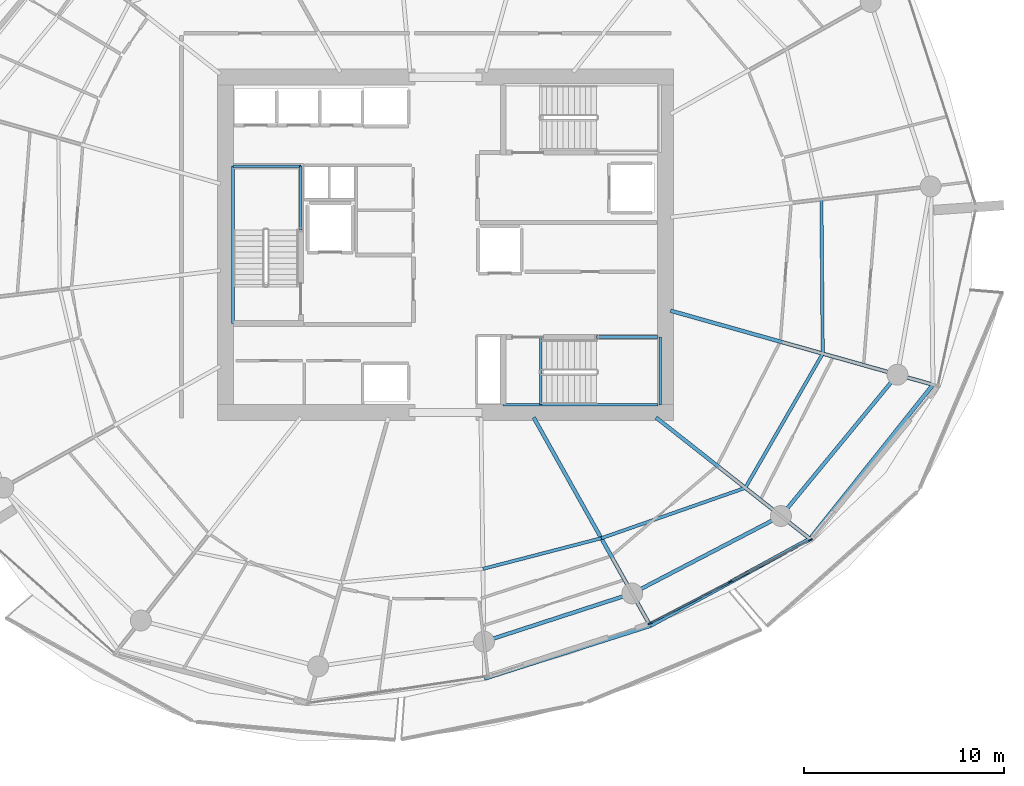
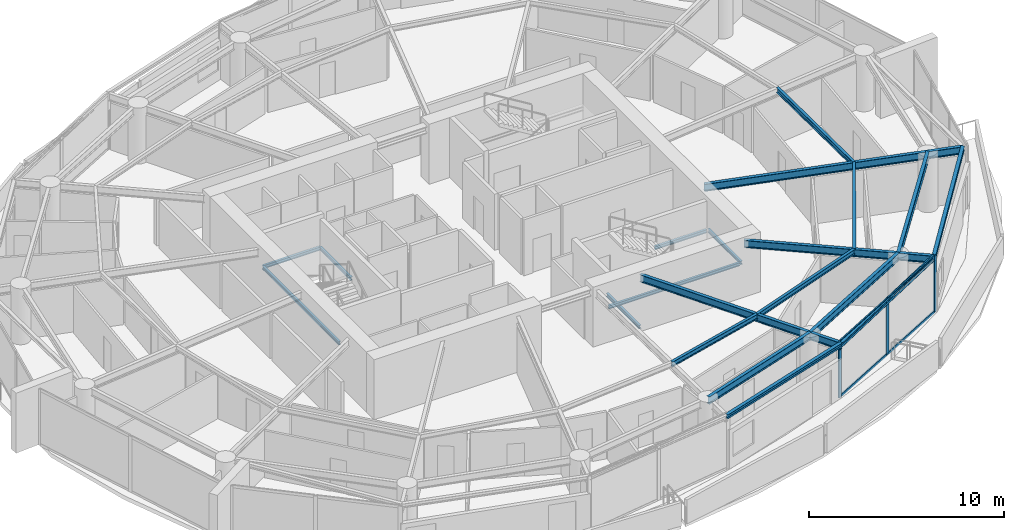
# One storey, part 6 of 20: 20 beams, 7 members, 1 element without a shape of its own.
"""IFC4 building model written with IfcOpenShell, lengths in metres."""

from ifc_helpers import new_model, si_unit, direction, frame, origin, origin_2d, place, context, subcontext, project, spatial, rectangle, i_section, extrude, material, layer, layer_set, material_profile, profile_set, type_object, element, aggregate, save


model = new_model("IFC4")

# Units and contexts
model_context = context("Model", 3, precision=1e-05, world=origin(), true_north=direction((0.0, 1.0)))
body_context = subcontext(model_context, "Body", "Model", "MODEL_VIEW")
ifc_project = project(units=[si_unit("LENGTHUNIT", "METRE"), si_unit("AREAUNIT", "SQUARE_METRE"), si_unit("VOLUMEUNIT", "CUBIC_METRE"), si_unit("PLANEANGLEUNIT", "RADIAN"), si_unit("MASSUNIT", "GRAM", prefix="KILO")], contexts=[model_context])

# Site, building, storey
site_placement = place(None, origin())
site = spatial("IfcSite", under=ifc_project, at=site_placement, CompositionType="ELEMENT")
building_placement = place(site_placement, origin())
building = spatial("IfcBuilding", under=site, at=building_placement, Name="Kazma Halo Residences", CompositionType="ELEMENT")
storey_placement = place(building_placement, frame((0.0, 0.0, 165.300048828125)))
storey = spatial("IfcBuildingStorey", under=building, at=storey_placement, Name="L41", CompositionType="ELEMENT", Elevation=165.300048828125)

# Beams
ifc_material_1 = material(Name="Steel S355", Category="steel")
ifc_material_profile_1 = material_profile(ifc_material_1, i_section(OverallWidth=0.201904296875, OverallDepth=0.2470703125, WebThickness=0.00732421875, FlangeThickness=0.010986328125, FilletRadius=0.011962890625, at=origin_2d()), Name="W250x49.1")
ifc_profile_set_1 = profile_set([ifc_material_profile_1], Name="Steel S355")
beam_type_1 = type_object("IfcBeamType", Name="BM-BAL-CANT", PredefinedType="BEAM", material=ifc_profile_set_1)
beam_1_placement = place(storey_placement, frame((50.37841796875, 20.269287109375, 3.37646484375), z_axis=(0.952724066304, 0.303836886315, 0.0), x_axis=(-0.303836886315, 0.952724066304, 0.0)))
element("IfcBeam", 1, at=beam_1_placement, inside=storey, type_object=beam_type_1, Name="L41 wave-balcony tie beam 12", PredefinedType="BEAM", context=body_context, shape_type="SweptSolid", body=[
    extrude(i_section(OverallWidth=0.201904296875, OverallDepth=0.2470703125, WebThickness=0.00732421875, FlangeThickness=0.010986328125, FilletRadius=0.011962890625, at=origin_2d()), origin(), (0.0, 0.0, 1.0), 8.719970703125),
])
beam_2_placement = place(storey_placement, frame((58.68603515625, 22.918701171875, 3.37646484375), z_axis=(0.878572913315, 0.477608245312, 0.0), x_axis=(-0.477608245312, 0.878572913315, 0.0)))
element("IfcBeam", 2, at=beam_2_placement, inside=storey, type_object=beam_type_1, Name="L41 wave-balcony tie beam 13", PredefinedType="BEAM", context=body_context, shape_type="SweptSolid", body=[
    extrude(i_section(OverallWidth=0.201904296875, OverallDepth=0.2470703125, WebThickness=0.00732421875, FlangeThickness=0.010986328125, FilletRadius=0.011962890625, at=origin_2d()), origin(), (0.0, 0.0, 1.0), 9.107177734375),
])
beam_3_placement = place(storey_placement, frame((66.687255859375, 27.268310546875, 3.37646484375), z_axis=(0.623742400336, 0.781629975131, 0.0), x_axis=(-0.781629975131, 0.623742400336, 0.0)))
element("IfcBeam", 3, at=beam_3_placement, inside=storey, type_object=beam_type_1, Name="L41 wave-balcony tie beam 14", PredefinedType="BEAM", context=body_context, shape_type="SweptSolid", body=[
    extrude(i_section(OverallWidth=0.201904296875, OverallDepth=0.2470703125, WebThickness=0.00732421875, FlangeThickness=0.010986328125, FilletRadius=0.011962890625, at=origin_2d()), origin(), (0.0, 0.0, 1.0), 9.880859375),
])
ifc_material_profile_2 = material_profile(ifc_material_1, i_section(OverallWidth=0.18994140625, OverallDepth=0.45703125, WebThickness=0.009033203125, FlangeThickness=0.014404296875, FilletRadius=0.01611328125, at=origin_2d()), Name="W460x74")
ifc_profile_set_2 = profile_set([ifc_material_profile_2], Name="Steel S355")
beam_type_2 = type_object("IfcBeamType", Name="BM-RAD-W460", PredefinedType="BEAM", material=ifc_profile_set_2)
beam_4_placement = place(storey_placement, frame((52.84423828125, 33.35009765625, 3.271484375), z_axis=(0.488617048735, -0.872498355119, 0.0), x_axis=(0.872498355119, 0.488617048735, 0.0)))
element("IfcBeam", 4, at=beam_4_placement, inside=storey, type_object=beam_type_2, Name="L41 radial floor beam 13", PredefinedType="BEAM", context=body_context, shape_type="SweptSolid", body=[
    extrude(i_section(OverallWidth=0.18994140625, OverallDepth=0.45703125, WebThickness=0.009033203125, FlangeThickness=0.014404296875, FilletRadius=0.01611328125, at=origin_2d()), origin(), (0.0, 0.0, 1.0), 11.955810546875),
])
beam_5_placement = place(storey_placement, frame((58.972412109375, 33.35009765625, 3.271484375), z_axis=(0.785322142498, -0.619087338347, 0.0), x_axis=(0.619087338347, 0.785322142498, 0.0)))
element("IfcBeam", 5, at=beam_5_placement, inside=storey, type_object=beam_type_2, Name="L41 radial floor beam 14", PredefinedType="BEAM", context=body_context, shape_type="SweptSolid", body=[
    extrude(i_section(OverallWidth=0.18994140625, OverallDepth=0.45703125, WebThickness=0.009033203125, FlangeThickness=0.014404296875, FilletRadius=0.01611328125, at=origin_2d()), origin(), (0.0, 0.0, 1.0), 9.82373046875),
])
beam_6_placement = place(storey_placement, frame((59.699951171875, 38.7001953125, 3.271484375), z_axis=(0.962456259321, -0.271436823024, 0.0), x_axis=(0.271436823024, 0.962456259321, 0.0)))
element("IfcBeam", 6, at=beam_6_placement, inside=storey, type_object=beam_type_2, Name="L41 radial floor beam 15", PredefinedType="BEAM", context=body_context, shape_type="SweptSolid", body=[
    extrude(i_section(OverallWidth=0.18994140625, OverallDepth=0.45703125, WebThickness=0.009033203125, FlangeThickness=0.014404296875, FilletRadius=0.01611328125, at=origin_2d()), origin(), (0.0, 0.0, 1.0), 13.663330078125),
])
ifc_material_profile_3 = material_profile(ifc_material_1, i_section(OverallWidth=0.1650390625, OverallDepth=0.31005859375, WebThickness=0.005859375, FlangeThickness=0.009765625, FilletRadius=0.011962890625, at=origin_2d()), Name="W310x38.7")
ifc_profile_set_3 = profile_set([ifc_material_profile_3], Name="Steel S355")
beam_type_3 = type_object("IfcBeamType", Name="BM-SEC-W310B", PredefinedType="JOIST", material=ifc_profile_set_3)
beam_7_placement = place(storey_placement, frame((50.303466796875, 25.76318359375, 3.344970703125), z_axis=(0.968017337658, 0.250883307524, 0.0), x_axis=(-0.250883307524, 0.968017337658, 0.0)))
element("IfcBeam", 7, at=beam_7_placement, inside=storey, type_object=beam_type_3, Name="L41 circumferential floor joist 12", PredefinedType="JOIST", context=body_context, shape_type="SweptSolid", body=[
    extrude(i_section(OverallWidth=0.1650390625, OverallDepth=0.31005859375, WebThickness=0.005859375, FlangeThickness=0.009765625, FilletRadius=0.011962890625, at=origin_2d()), origin(), (0.0, 0.0, 1.0), 6.124755859375),
])
beam_8_placement = place(storey_placement, frame((56.232421875, 27.2998046875, 3.344970703125), z_axis=(0.943956421223, 0.330070105935, 0.0), x_axis=(-0.330070105935, 0.943956421223, 0.0)))
element("IfcBeam", 8, at=beam_8_placement, inside=storey, type_object=beam_type_3, Name="L41 circumferential floor joist 13", PredefinedType="JOIST", context=body_context, shape_type="SweptSolid", body=[
    extrude(i_section(OverallWidth=0.1650390625, OverallDepth=0.31005859375, WebThickness=0.005859375, FlangeThickness=0.009765625, FilletRadius=0.011962890625, at=origin_2d()), origin(), (0.0, 0.0, 1.0), 7.642822265625),
])
beam_9_placement = place(storey_placement, frame((63.447021484375, 29.822509765625, 3.344970703125), z_axis=(0.499666203496, 0.866218035533, 0.0), x_axis=(-0.866218035533, 0.499666203496, 0.0)))
element("IfcBeam", 9, at=beam_9_placement, inside=storey, type_object=beam_type_3, Name="L41 circumferential floor joist 14", PredefinedType="JOIST", context=body_context, shape_type="SweptSolid", body=[
    extrude(i_section(OverallWidth=0.1650390625, OverallDepth=0.31005859375, WebThickness=0.005859375, FlangeThickness=0.009765625, FilletRadius=0.011962890625, at=origin_2d()), origin(), (0.0, 0.0, 1.0), 7.765380859375),
])
beam_10_placement = place(storey_placement, frame((67.3271484375, 36.549072265625, 3.344970703125), z_axis=(-0.008779348348, 0.999961460779, 0.0), x_axis=(-0.999961460779, -0.008779348348, 0.0)))
element("IfcBeam", 10, at=beam_10_placement, inside=storey, type_object=beam_type_3, Name="L41 circumferential floor joist 15", PredefinedType="JOIST", context=body_context, shape_type="SweptSolid", body=[
    extrude(i_section(OverallWidth=0.1650390625, OverallDepth=0.31005859375, WebThickness=0.005859375, FlangeThickness=0.009765625, FilletRadius=0.011962890625, at=origin_2d()), origin(), (0.0, 0.0, 1.0), 7.730712890625),
])
ifc_material_profile_4 = material_profile(ifc_material_1, i_section(OverallWidth=0.18994140625, OverallDepth=0.45703125, WebThickness=0.009033203125, FlangeThickness=0.014404296875, FilletRadius=0.01611328125, at=origin_2d()), Name="W460x74")
ifc_profile_set_4 = profile_set([ifc_material_profile_4], Name="Steel S355")
beam_type_4 = type_object("IfcBeamType", Name="BM-SPN-W460", PredefinedType="BEAM", material=ifc_profile_set_4)
beam_11_placement = place(storey_placement, frame((50.35302734375, 22.118896484375, 3.271484375), z_axis=(0.95105634578, 0.309017519167, 0.0), x_axis=(-0.309017519167, 0.95105634578, 0.0)))
element("IfcBeam", 11, at=beam_11_placement, inside=storey, type_object=beam_type_4, Name="L41 perimeter ring beam 12", PredefinedType="BEAM", context=body_context, shape_type="SweptSolid", body=[
    extrude(i_section(OverallWidth=0.18994140625, OverallDepth=0.45703125, WebThickness=0.009033203125, FlangeThickness=0.014404296875, FilletRadius=0.01611328125, at=origin_2d()), origin(), (0.0, 0.0, 1.0), 7.811279296875),
])
beam_12_placement = place(storey_placement, frame((57.781982421875, 24.53271484375, 3.271484375), z_axis=(0.886943099021, 0.461878706046, 0.0), x_axis=(-0.461878706046, 0.886943099021, 0.0)))
element("IfcBeam", 12, at=beam_12_placement, inside=storey, type_object=beam_type_4, Name="L41 perimeter ring beam 13", PredefinedType="BEAM", context=body_context, shape_type="SweptSolid", body=[
    extrude(i_section(OverallWidth=0.18994140625, OverallDepth=0.45703125, WebThickness=0.009033203125, FlangeThickness=0.014404296875, FilletRadius=0.01611328125, at=origin_2d()), origin(), (0.0, 0.0, 1.0), 8.40234375),
])
beam_13_placement = place(storey_placement, frame((65.234375, 28.41357421875, 3.271484375), z_axis=(0.636018723515, 0.771673624882, 0.0), x_axis=(-0.771673624882, 0.636018723515, 0.0)))
element("IfcBeam", 13, at=beam_13_placement, inside=storey, type_object=beam_type_4, Name="L41 perimeter ring beam 14", PredefinedType="BEAM", context=body_context, shape_type="SweptSolid", body=[
    extrude(i_section(OverallWidth=0.18994140625, OverallDepth=0.45703125, WebThickness=0.009033203125, FlangeThickness=0.014404296875, FilletRadius=0.01611328125, at=origin_2d()), origin(), (0.0, 0.0, 1.0), 9.175048828125),
])
ifc_material_profile_5 = material_profile(ifc_material_1, i_section(OverallWidth=0.133056640625, OverallDepth=0.20703125, WebThickness=0.005859375, FlangeThickness=0.00830078125, FilletRadius=0.010009765625, at=origin_2d()), Name="W200x26.6")
ifc_profile_set_5 = profile_set([ifc_material_profile_5], Name="Steel S355")
beam_type_5 = type_object("IfcBeamType", Name="BM-TRIM-W200", PredefinedType="BEAM", material=ifc_profile_set_5)
beam_14_placement = place(storey_placement, frame((53.199951171875, 34.0, -0.360107421875), z_axis=(0.0, 1.0, 0.0), x_axis=(-1.0, 0.0, 0.0)))
element("IfcBeam", 14, at=beam_14_placement, inside=storey, type_object=beam_type_5, Name="L41 ST-03 floor landing support beam", PredefinedType="BEAM", context=body_context, shape_type="SweptSolid", body=[
    extrude(i_section(OverallWidth=0.133056640625, OverallDepth=0.20703125, WebThickness=0.005859375, FlangeThickness=0.00830078125, FilletRadius=0.010009765625, at=origin_2d()), origin(), (0.0, 0.0, 1.0), 3.3798828125),
])
beam_15_placement = place(storey_placement, frame((37.780029296875, 38.06005859375, 1.570068359375), z_axis=(0.0, 1.0, 0.0), x_axis=(-1.0, 0.0, 0.0)))
element("IfcBeam", 15, at=beam_15_placement, inside=storey, type_object=beam_type_5, Name="L41 ST-01 landing west wall ledger", PredefinedType="BEAM", context=body_context, shape_type="SweptSolid", body=[
    extrude(i_section(OverallWidth=0.133056640625, OverallDepth=0.20703125, WebThickness=0.005859375, FlangeThickness=0.00830078125, FilletRadius=0.010009765625, at=origin_2d()), origin(), (0.0, 0.0, 1.0), 7.8798828125),
])
beam_16_placement = place(storey_placement, frame((41.179931640625, 42.75, 1.570068359375), z_axis=(0.0, 1.0, 0.0), x_axis=(-1.0, 0.0, 0.0)))
element("IfcBeam", 16, at=beam_16_placement, inside=storey, type_object=beam_type_5, Name="L41 ST-01 landing east wall ledger", PredefinedType="BEAM", context=body_context, shape_type="SweptSolid", body=[
    extrude(i_section(OverallWidth=0.133056640625, OverallDepth=0.20703125, WebThickness=0.005859375, FlangeThickness=0.00830078125, FilletRadius=0.010009765625, at=origin_2d()), origin(), (0.0, 0.0, 1.0), 3.18994140625),
])
beam_17_placement = place(storey_placement, frame((37.780029296875, 45.93994140625, 1.570068359375), z_axis=(1.0, 0.0, 0.0), x_axis=(0.0, 1.0, 0.0)))
element("IfcBeam", 17, at=beam_17_placement, inside=storey, type_object=beam_type_5, Name="L41 ST-01 landing end wall ledger", PredefinedType="BEAM", context=body_context, shape_type="SweptSolid", body=[
    extrude(i_section(OverallWidth=0.133056640625, OverallDepth=0.20703125, WebThickness=0.005859375, FlangeThickness=0.00830078125, FilletRadius=0.010009765625, at=origin_2d()), origin(), (0.0, 0.0, 1.0), 3.39990234375),
])
beam_18_placement = place(storey_placement, frame((51.31005859375, 33.97998046875, 1.570068359375), z_axis=(1.0, 0.0, 0.0), x_axis=(0.0, 1.0, 0.0)))
element("IfcBeam", 18, at=beam_18_placement, inside=storey, type_object=beam_type_5, Name="L41 ST-03 landing south wall ledger", PredefinedType="BEAM", context=body_context, shape_type="SweptSolid", body=[
    extrude(i_section(OverallWidth=0.133056640625, OverallDepth=0.20703125, WebThickness=0.005859375, FlangeThickness=0.00830078125, FilletRadius=0.010009765625, at=origin_2d()), origin(), (0.0, 0.0, 1.0), 7.760009765625),
])
beam_19_placement = place(storey_placement, frame((56.0, 37.3798828125, 1.570068359375), z_axis=(1.0, 0.0, 0.0), x_axis=(0.0, 1.0, 0.0)))
element("IfcBeam", 19, at=beam_19_placement, inside=storey, type_object=beam_type_5, Name="L41 ST-03 landing north wall ledger", PredefinedType="BEAM", context=body_context, shape_type="SweptSolid", body=[
    extrude(i_section(OverallWidth=0.133056640625, OverallDepth=0.20703125, WebThickness=0.005859375, FlangeThickness=0.00830078125, FilletRadius=0.010009765625, at=origin_2d()), origin(), (0.0, 0.0, 1.0), 3.070068359375),
])
beam_20_placement = place(storey_placement, frame((59.18994140625, 33.97998046875, 1.570068359375), z_axis=(0.0, 1.0, 0.0), x_axis=(-1.0, 0.0, 0.0)))
element("IfcBeam", 20, at=beam_20_placement, inside=storey, type_object=beam_type_5, Name="L41 ST-03 landing end wall ledger", PredefinedType="BEAM", context=body_context, shape_type="SweptSolid", body=[
    extrude(i_section(OverallWidth=0.133056640625, OverallDepth=0.20703125, WebThickness=0.005859375, FlangeThickness=0.00830078125, FilletRadius=0.010009765625, at=origin_2d()), origin(), (0.0, 0.0, 1.0), 3.39990234375),
])

# Curtain wall, members
ifc_material_2 = material(Name="Aluminium AW-6063 T6 and Triple-Silver Low-E Glass", Category="aluminium")
ifc_layer = layer(ifc_material_2, 0.219970703125)
ifc_layer_set = layer_set([ifc_layer], Name="Aluminium AW-6063 T6 and Triple-Silver Low-E Glass")
curtain_wall_type = type_object("IfcCurtainWallType", Name="CW-SYS-4", PredefinedType="NOTDEFINED", material=ifc_layer_set)
curtain_wall_placement = place(storey_placement, origin())
curtain_wall = element("IfcCurtainWall", 21, at=curtain_wall_placement, inside=storey, type_object=curtain_wall_type, Name="L41 unitised curtain wall B13", PredefinedType="NOTDEFINED")
ifc_material_3 = material(Name="Aluminium AW-6063 T6", Category="aluminium")
ifc_material_profile_6 = material_profile(ifc_material_3, rectangle(XDim=0.074951171875, YDim=0.219970703125, at=origin_2d()), Name="CWM-75x220")
ifc_profile_set_6 = profile_set([ifc_material_profile_6], Name="Aluminium AW-6063 T6")
member_type_1 = type_object("IfcMemberType", Name="CW-SYS-4-MUL", PredefinedType="MULLION", material=ifc_profile_set_6)
member_1_placement = place(storey_placement, frame((58.66552734375, 23.0322265625, 0.0), z_axis=(0.0, 0.0, 1.0), x_axis=(-0.460837484552, 0.887484542306, 0.0)))
member_1 = element("IfcMember", 22, at=member_1_placement, type_object=member_type_1, Name="CWS-4 mullion 1", PredefinedType="MULLION", context=body_context, shape_type="SweptSolid", body=[
    extrude(rectangle(XDim=0.074951171875, YDim=0.219970703125, at=origin_2d()), origin(), (0.0, 0.0, 1.0), 3.5),
])
member_2_placement = place(storey_placement, frame((62.686767578125, 25.120361328125, 0.0), z_axis=(0.0, 0.0, 1.0), x_axis=(-0.460837484552, 0.887484542306, 0.0)))
member_2 = element("IfcMember", 23, at=member_2_placement, type_object=member_type_1, Name="CWS-4 mullion 2", PredefinedType="MULLION", context=body_context, shape_type="SweptSolid", body=[
    extrude(rectangle(XDim=0.074951171875, YDim=0.219970703125, at=origin_2d()), origin(), (0.0, 0.0, 1.0), 3.5),
])
member_3_placement = place(storey_placement, frame((66.7080078125, 27.208251953125, 0.0), z_axis=(0.0, 0.0, 1.0), x_axis=(-0.460837484552, 0.887484542306, 0.0)))
member_3 = element("IfcMember", 24, at=member_3_placement, type_object=member_type_1, Name="CWS-4 mullion 3", PredefinedType="MULLION", context=body_context, shape_type="SweptSolid", body=[
    extrude(rectangle(XDim=0.074951171875, YDim=0.219970703125, at=origin_2d()), origin(), (0.0, 0.0, 1.0), 3.5),
])
ifc_material_profile_7 = material_profile(ifc_material_3, rectangle(XDim=0.074951171875, YDim=0.1650390625, at=origin_2d()), Name="CWT-75x165")
ifc_profile_set_7 = profile_set([ifc_material_profile_7], Name="Aluminium AW-6063 T6")
member_type_2 = type_object("IfcMemberType", Name="CW-SYS-4-TRN", PredefinedType="USERDEFINED", material=ifc_profile_set_7)
member_4_placement = place(storey_placement, frame((58.69873046875, 23.049560546875, 0.037353515625), z_axis=(0.887484872803, 0.460836848077, 0.0), x_axis=(-0.460836848077, 0.887484872803, 0.0)))
member_4 = element("IfcMember", 25, at=member_4_placement, type_object=member_type_2, Name="CWS-4 transom 1.1", ObjectType="TRANSOM", PredefinedType="USERDEFINED", context=body_context, shape_type="SweptSolid", body=[
    extrude(rectangle(XDim=0.074951171875, YDim=0.1650390625, at=origin_2d()), origin(), (0.0, 0.0, 1.0), 4.4560546875),
])
member_5_placement = place(storey_placement, frame((58.69873046875, 23.049560546875, 3.46240234375), z_axis=(0.887484872803, 0.460836848077, 0.0), x_axis=(-0.460836848077, 0.887484872803, 0.0)))
member_5 = element("IfcMember", 26, at=member_5_placement, type_object=member_type_2, Name="CWS-4 transom 1.2", ObjectType="TRANSOM", PredefinedType="USERDEFINED", context=body_context, shape_type="SweptSolid", body=[
    extrude(rectangle(XDim=0.074951171875, YDim=0.1650390625, at=origin_2d()), origin(), (0.0, 0.0, 1.0), 4.4560546875),
])
member_6_placement = place(storey_placement, frame((62.719970703125, 25.137451171875, 0.037353515625), z_axis=(0.887484872803, 0.460836848077, 0.0), x_axis=(-0.460836848077, 0.887484872803, 0.0)))
member_6 = element("IfcMember", 27, at=member_6_placement, type_object=member_type_2, Name="CWS-4 transom 2.1", ObjectType="TRANSOM", PredefinedType="USERDEFINED", context=body_context, shape_type="SweptSolid", body=[
    extrude(rectangle(XDim=0.074951171875, YDim=0.1650390625, at=origin_2d()), origin(), (0.0, 0.0, 1.0), 4.4560546875),
])
member_7_placement = place(storey_placement, frame((62.719970703125, 25.137451171875, 3.46240234375), z_axis=(0.887484872803, 0.460836848077, 0.0), x_axis=(-0.460836848077, 0.887484872803, 0.0)))
member_7 = element("IfcMember", 28, at=member_7_placement, type_object=member_type_2, Name="CWS-4 transom 2.2", ObjectType="TRANSOM", PredefinedType="USERDEFINED", context=body_context, shape_type="SweptSolid", body=[
    extrude(rectangle(XDim=0.074951171875, YDim=0.1650390625, at=origin_2d()), origin(), (0.0, 0.0, 1.0), 4.4560546875),
])
aggregate(curtain_wall, [member_1, member_2, member_3, member_4, member_5, member_6, member_7])

save(model, "model.ifc")
